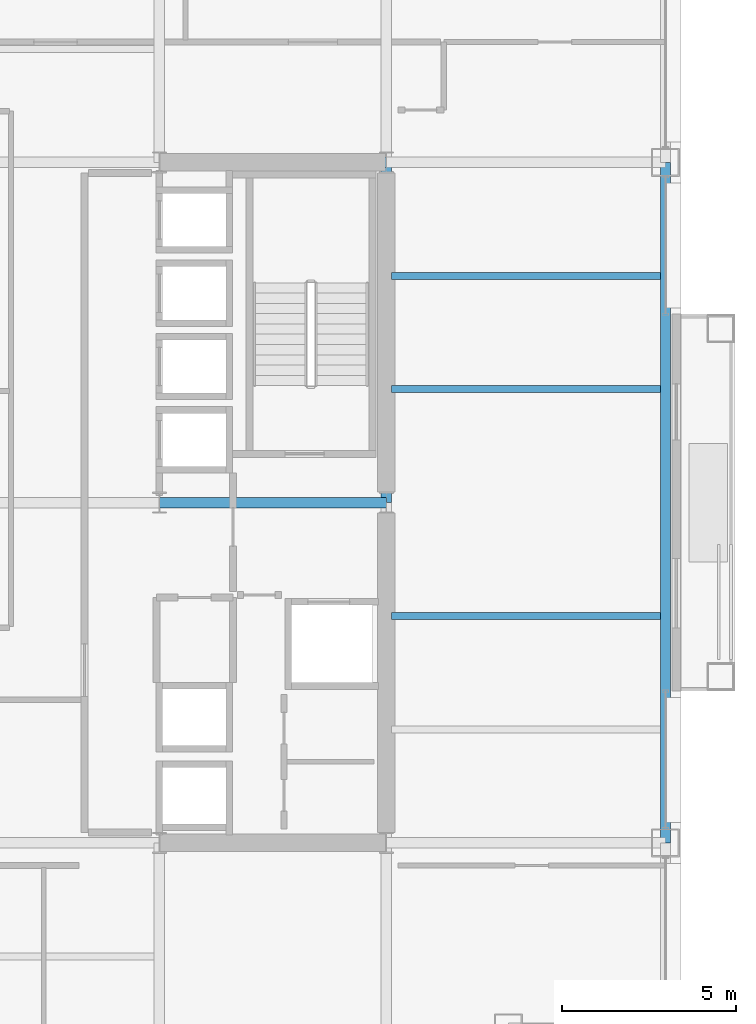
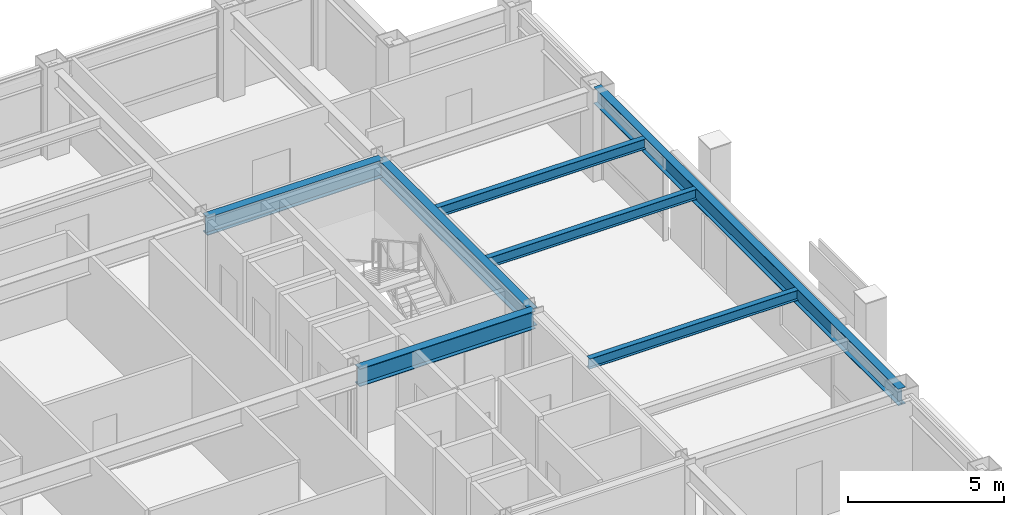
# One storey, part 15 of 29: 7 beams.
"""IFC4 building model written with IfcOpenShell, lengths in metres."""

from ifc_helpers import new_model, si_unit, direction, frame, origin, origin_2d, place, context, subcontext, project, spatial, i_section, extrude, material, material_profile, profile_set, type_object, element, save


model = new_model("IFC4")

# Units and contexts
model_context = context("Model", 3, precision=1e-05, world=origin(), true_north=direction((0.0, 1.0)))
body_context = subcontext(model_context, "Body", "Model", "MODEL_VIEW")
ifc_project = project(units=[si_unit("LENGTHUNIT", "METRE"), si_unit("AREAUNIT", "SQUARE_METRE"), si_unit("VOLUMEUNIT", "CUBIC_METRE"), si_unit("PLANEANGLEUNIT", "RADIAN"), si_unit("MASSUNIT", "GRAM", prefix="KILO")], contexts=[model_context])

# Site, building, storey
site_placement = place(None, origin())
site = spatial("IfcSite", under=ifc_project, at=site_placement, CompositionType="ELEMENT")
building_placement = place(site_placement, origin())
building = spatial("IfcBuilding", under=site, at=building_placement, Name="Brelmoor Portico Tower", CompositionType="ELEMENT")
storey_placement = place(building_placement, frame((0.0, 0.0, 135.0)))
storey = spatial("IfcBuildingStorey", under=building, at=storey_placement, Name="L35", CompositionType="ELEMENT", Elevation=135.0)

# Beams
ifc_material = material(Name="Steel Q355B", Category="steel")
ifc_material_profile_1 = material_profile(ifc_material, i_section(OverallWidth=0.199951171875, OverallDepth=0.39990234375, WebThickness=0.008056640625, FlangeThickness=0.012939453125, at=origin_2d()), Name="HN 400x200x8x13")
ifc_profile_set_1 = profile_set([ifc_material_profile_1], Name="Steel Q355B")
beam_type_1 = type_object("IfcBeamType", Name="BM-JS-400", PredefinedType="JOIST", material=ifc_profile_set_1)
for number, where, z_axis, x_axis, name in (
    (1, (14.699951171875, -3.25, 3.199951171875), (1.0, 0.0, 0.0), (0.0, 1.0, 0.0), "L35 Secondary Wing Joist JS-E10"),
    (2, (14.699951171875, 3.25, 3.199951171875), (1.0, 0.0, 0.0), (0.0, 1.0, 0.0), "L35 Secondary Wing Joist JS-E11"),
    (3, (14.699951171875, 6.5, 3.199951171875), (1.0, 0.0, 0.0), (0.0, 1.0, 0.0), "L35 Secondary Wing Joist JS-E12"),
):
    element("IfcBeam", number, at=place(storey_placement, frame(where, z_axis=z_axis, x_axis=x_axis)), inside=storey, type_object=beam_type_1, Name=name, PredefinedType="JOIST", context=body_context, shape_type="SweptSolid", body=[
        extrude(i_section(OverallWidth=0.199951171875, OverallDepth=0.39990234375, WebThickness=0.008056640625, FlangeThickness=0.012939453125, at=origin_2d()), origin(), (0.0, 0.0, 1.0), 7.7099609375),
    ])
ifc_material_profile_2 = material_profile(ifc_material, i_section(OverallWidth=0.300048828125, OverallDepth=0.699951171875, WebThickness=0.012939453125, FlangeThickness=0.02392578125, at=origin_2d()), Name="HN 700x300x13x24")
ifc_profile_set_2 = profile_set([ifc_material_profile_2], Name="Steel Q355B")
beam_type_2 = type_object("IfcBeamType", Name="BM-PG-700", PredefinedType="BEAM", material=ifc_profile_set_2)
beam_1_placement = place(storey_placement, frame((14.550048828125, 0.0, 3.050048828125), z_axis=(0.0, 1.0, 0.0), x_axis=(-1.0, 0.0, 0.0)))
element("IfcBeam", 4, at=beam_1_placement, inside=storey, type_object=beam_type_2, Name="L35 Primary Floor Girder PG-12", PredefinedType="BEAM", context=body_context, shape_type="SweptSolid", body=[
    extrude(i_section(OverallWidth=0.300048828125, OverallDepth=0.699951171875, WebThickness=0.012939453125, FlangeThickness=0.02392578125, at=origin_2d()), origin(), (0.0, 0.0, 1.0), 9.75),
])
for number, where, z_axis, x_axis, name in (
    (5, (8.050048828125, 0.0, 3.050048828125), (1.0, 0.0, 0.0), (0.0, 1.0, 0.0), "L35 Primary Floor Girder PG-21"),
    (6, (8.050048828125, 9.75, 3.050048828125), (1.0, 0.0, 0.0), (0.0, 1.0, 0.0), "L35 Primary Floor Girder PG-25"),
):
    element("IfcBeam", number, at=place(storey_placement, frame(where, z_axis=z_axis, x_axis=x_axis)), inside=storey, type_object=beam_type_2, Name=name, PredefinedType="BEAM", context=body_context, shape_type="SweptSolid", body=[
        extrude(i_section(OverallWidth=0.300048828125, OverallDepth=0.699951171875, WebThickness=0.012939453125, FlangeThickness=0.02392578125, at=origin_2d()), origin(), (0.0, 0.0, 1.0), 6.5),
    ])
ifc_material_profile_3 = material_profile(ifc_material, i_section(OverallWidth=0.280029296875, OverallDepth=0.64990234375, WebThickness=0.012939453125, FlangeThickness=0.02197265625, at=origin_2d()), Name="HN 650x280x13x22")
ifc_profile_set_3 = profile_set([ifc_material_profile_3], Name="Steel Q355B")
beam_type_3 = type_object("IfcBeamType", Name="BM-SP-650", PredefinedType="SPANDREL", material=ifc_profile_set_3)
beam_2_placement = place(storey_placement, frame((22.550048828125, -9.75, 3.074951171875), z_axis=(0.0, 1.0, 0.0), x_axis=(-1.0, 0.0, 0.0)))
element("IfcBeam", 7, at=beam_2_placement, inside=storey, type_object=beam_type_3, Name="L35 Perimeter Spandrel Beam SP-23", PredefinedType="SPANDREL", context=body_context, shape_type="SweptSolid", body=[
    extrude(i_section(OverallWidth=0.280029296875, OverallDepth=0.64990234375, WebThickness=0.012939453125, FlangeThickness=0.02197265625, at=origin_2d()), origin(), (0.0, 0.0, 1.0), 19.5),
])

save(model, "model.ifc")
